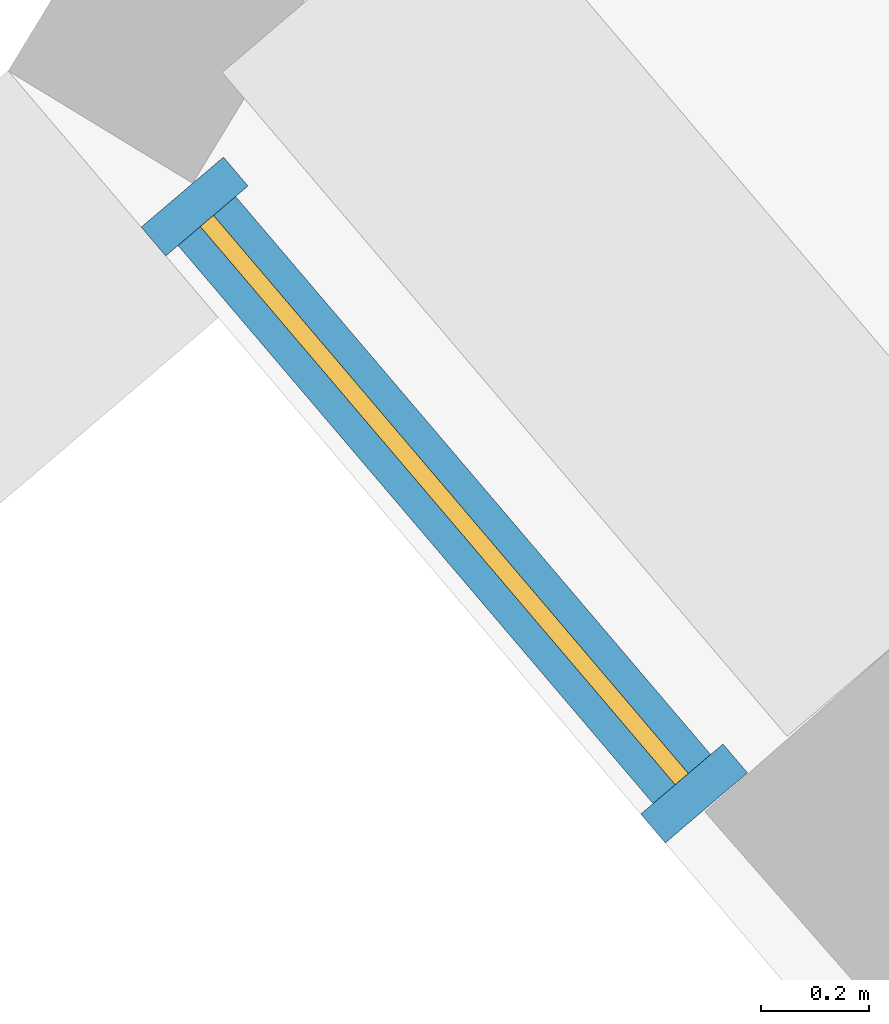
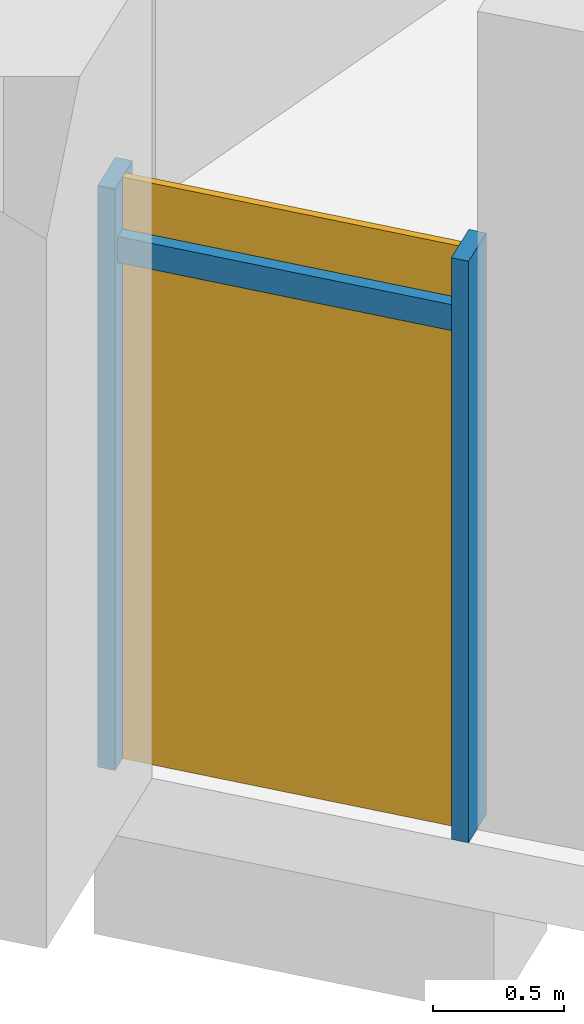
# One storey, part 19 of 28: 3 members, 1 curtain wall.
"""IFC4 building model written with IfcOpenShell, lengths in metres."""

from ifc_helpers import new_model, si_unit, direction, frame, origin, origin_2d, place, context, subcontext, project, spatial, rectangle, extrude, material, material_profile, profile_set, type_object, element, aggregate, save


model = new_model("IFC4")

# Units and contexts
model_context = context("Model", 3, precision=1e-05, world=origin(), true_north=direction((0.0, 1.0)))
body_context = subcontext(model_context, "Body", "Model", "MODEL_VIEW")
ifc_project = project(units=[si_unit("LENGTHUNIT", "METRE"), si_unit("AREAUNIT", "SQUARE_METRE"), si_unit("VOLUMEUNIT", "CUBIC_METRE"), si_unit("PLANEANGLEUNIT", "RADIAN"), si_unit("MASSUNIT", "GRAM", prefix="KILO")], contexts=[model_context])

# Member
ifc_material = material(Name="Aluminium 6063-T6 anodised", Category="aluminium")
ifc_material_profile_1 = material_profile(ifc_material, rectangle(XDim=0.199951171875, YDim=0.070068359375, at=origin_2d()))
ifc_profile_set_1 = profile_set([ifc_material_profile_1], Name="Aluminium 6063-T6 anodised")
member_type_1 = type_object("IfcMemberType", Name="Mullion 70 x 200 aluminium", PredefinedType="MULLION", material=ifc_profile_set_1)
site_placement = place(None, origin())
building_placement = place(site_placement, origin())
storey_placement = place(building_placement, frame((0.0, 0.0, 273.300048828125)))
member_1_placement = place(storey_placement, frame((-60.072998046875, -50.134765625, 0.0), z_axis=(0.0, 0.0, 1.0), x_axis=(0.761569702594, 0.648083010185, 0.0)))
member_1 = element("IfcMember", 1, at=member_1_placement, type_object=member_type_1, Name="e-cw1-L66-out00/M00", PredefinedType="MULLION", context=body_context, shape_type="SweptSolid", body=[
    extrude(rectangle(XDim=0.199951171875, YDim=0.070068359375, at=origin_2d()), origin(), (0.0, 0.0, 1.0), 2.699951171875),
])

member_2_placement = place(storey_placement, frame((-59.14794921875, -51.2216796875, 0.0), z_axis=(0.0, 0.0, 1.0), x_axis=(0.761569702594, 0.648083010185, 0.0)))
member_2 = element("IfcMember", 2, at=member_2_placement, type_object=member_type_1, Name="e-cw1-L66-out00/M01", PredefinedType="MULLION", context=body_context, shape_type="SweptSolid", body=[
    extrude(rectangle(XDim=0.199951171875, YDim=0.070068359375, at=origin_2d()), origin(), (0.0, 0.0, 1.0), 2.699951171875),
])

ifc_material_profile_2 = material_profile(ifc_material, rectangle(XDim=0.139892578125, YDim=0.1201171875, at=origin_2d()))
ifc_profile_set_2 = profile_set([ifc_material_profile_2], Name="Aluminium 6063-T6 anodised")
member_type_2 = type_object("IfcMemberType", Name="Transom 120 x 140 aluminium", PredefinedType="USERDEFINED", material=ifc_profile_set_2)
member_3_placement = place(storey_placement, frame((-60.05029296875, -50.16162109375, 2.39990234375), z_axis=(0.648165243525, -0.761499715749, 0.0), x_axis=(0.761499715749, 0.648165243525, 0.0)))
member_3 = element("IfcMember", 3, at=member_3_placement, type_object=member_type_2, Name="e-cw1-L66-out00/T00", ObjectType="TRANSOM", PredefinedType="USERDEFINED", context=body_context, shape_type="SweptSolid", body=[
    extrude(rectangle(XDim=0.139892578125, YDim=0.1201171875, at=origin_2d()), origin(), (0.0, 0.0, 1.0), 1.357177734375),
])

# Site, building, storey
site = spatial("IfcSite", under=ifc_project, at=site_placement, CompositionType="ELEMENT")
building = spatial("IfcBuilding", under=site, at=building_placement, Name="Qamariyya Broadcast Tower", CompositionType="ELEMENT")
storey = spatial("IfcBuildingStorey", under=building, at=storey_placement, Name="L66", CompositionType="ELEMENT", Elevation=273.300048828125)

# Curtain wall
curtain_wall_type = type_object("IfcCurtainWallType", Name="Unitised curtain wall, anodised aluminium", PredefinedType="NOTDEFINED", material=ifc_material)
curtain_wall_placement = place(storey_placement, origin())
curtain_wall = element("IfcCurtainWall", 4, at=curtain_wall_placement, inside=storey, type_object=curtain_wall_type, Name="e-cw1-L66-out00", PredefinedType="NOTDEFINED", context=body_context, shape_type="SweptSolid", body=[
    extrude(rectangle(XDim=1.357177734375, YDim=0.031982421875, at=origin_2d()), frame((-59.610595703125, -50.67822265625, 0.0), x_axis=(0.647993876274, -0.761645545061, 0.0)), (0.0, 0.0, 1.0), 2.340087890625),
    extrude(rectangle(XDim=1.357177734375, YDim=0.031982421875, at=origin_2d()), frame((-59.610595703125, -50.67822265625, 2.4599609375), x_axis=(0.647993876274, -0.761645545061, 0.0)), (0.0, 0.0, 1.0), 0.239990234375),
])

aggregate(curtain_wall, [member_1, member_2, member_3])

save(model, "model.ifc")
